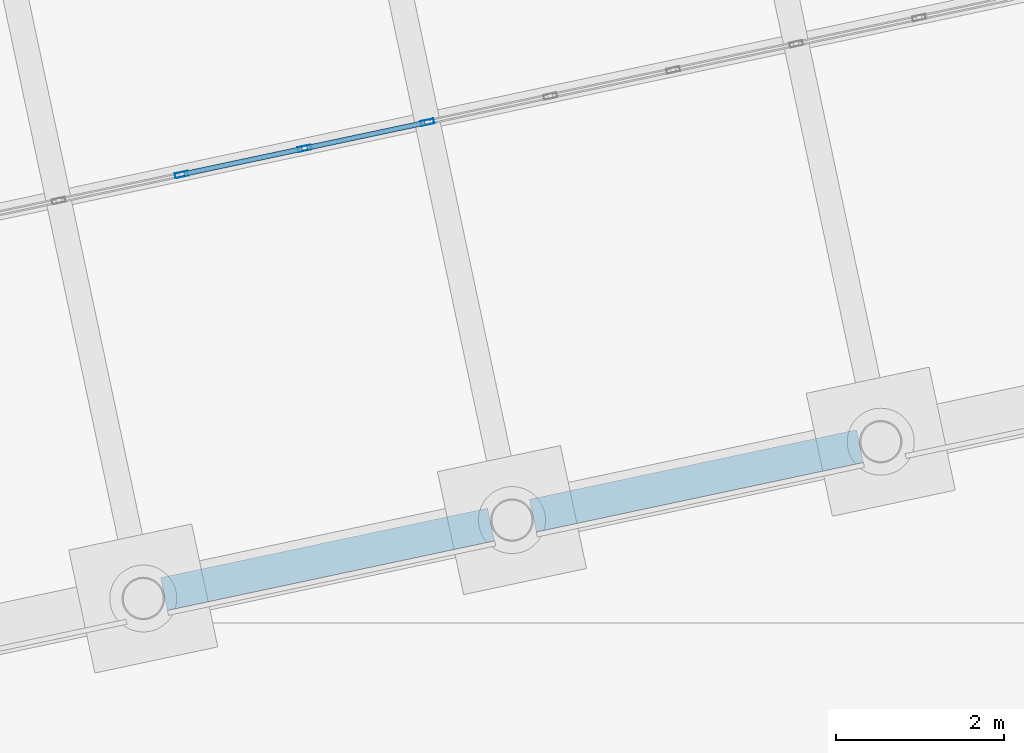
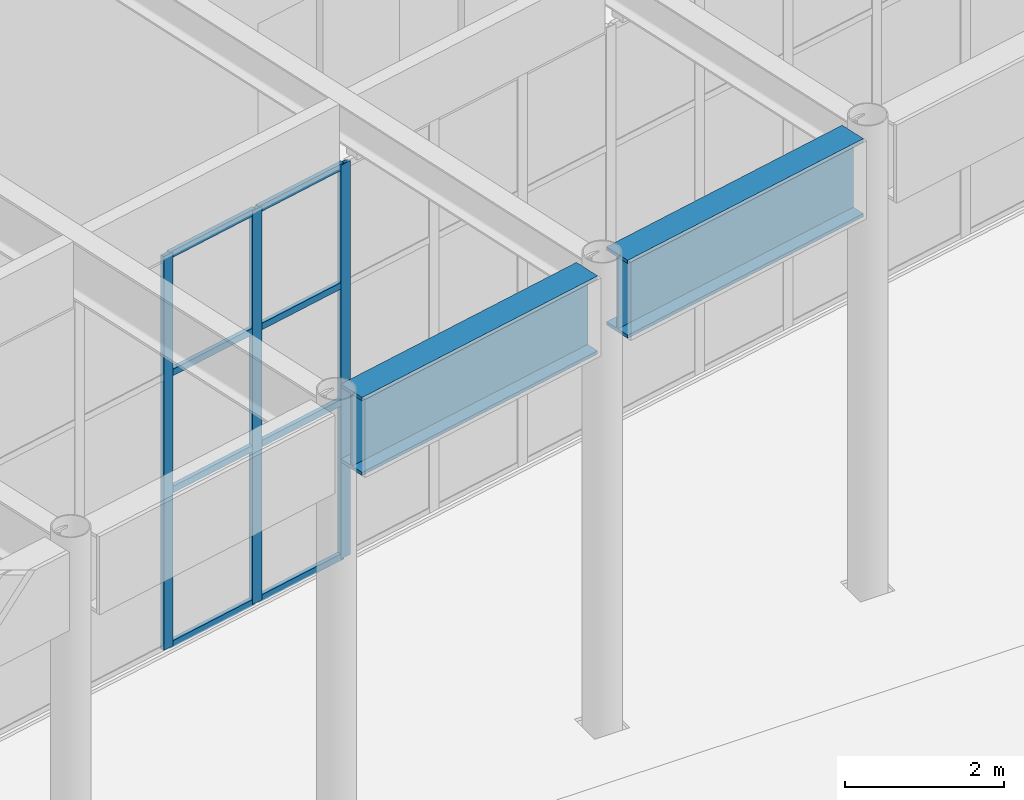
# One storey, part 60 of 239: 11 members, 2 beams, 1 element without a shape of its own.
"""IFC4 building model written with IfcOpenShell, lengths in metres."""

from ifc_helpers import new_model, si_unit, direction, frame, origin, origin_2d, place, context, subcontext, project, spatial, hollow_rectangle, i_section, extrude, material, material_profile, profile_set, type_object, element, aggregate, save


model = new_model("IFC4")

# Units and contexts
model_context = context("Model", 3, precision=1e-05, world=origin(), true_north=direction((0.0, 1.0)))
body_context = subcontext(model_context, "Body", "Model", "MODEL_VIEW")
ifc_project = project(units=[si_unit("LENGTHUNIT", "METRE"), si_unit("AREAUNIT", "SQUARE_METRE"), si_unit("VOLUMEUNIT", "CUBIC_METRE"), si_unit("PLANEANGLEUNIT", "RADIAN"), si_unit("MASSUNIT", "GRAM", prefix="KILO")], contexts=[model_context])

# Site, building, storey
site_placement = place(None, origin())
site = spatial("IfcSite", under=ifc_project, at=site_placement, CompositionType="ELEMENT")
building_placement = place(site_placement, origin())
building = spatial("IfcBuilding", under=site, at=building_placement, Name="Okhra Congress Centre", CompositionType="ELEMENT")
storey_placement = place(building_placement, origin())
storey = spatial("IfcBuildingStorey", under=building, at=storey_placement, Name="L00", CompositionType="ELEMENT", Elevation=0.0)

# Curtain wall, members
ifc_material_1 = material(Name="Aluminium curtain wall, triple glazing", Category="aluminium")
curtain_wall_type = type_object("IfcCurtainWallType", Name="Curtain wall 1500 module", PredefinedType="NOTDEFINED", material=ifc_material_1)
curtain_wall_placement = place(storey_placement, origin())
curtain_wall = element("IfcCurtainWall", 1, at=curtain_wall_placement, inside=storey, type_object=curtain_wall_type, Name="Ground curtain wall S2", PredefinedType="NOTDEFINED")
ifc_material_2 = material(Name="Aluminium alloy EN AW-6063 T66", Category="aluminium")
ifc_material_profile_1 = material_profile(ifc_material_2, hollow_rectangle(XDim=0.06005859375, YDim=0.159912109375, WallThickness=0.00390625, at=origin_2d()), Name="RHS 60x160x4")
ifc_profile_set_1 = profile_set([ifc_material_profile_1], Name="Aluminium alloy EN AW-6063 T66")
member_type_1 = type_object("IfcMemberType", Name="Curtain wall mullion 60x160", PredefinedType="MULLION", material=ifc_profile_set_1)
member_1_placement = place(storey_placement, frame((96.68212890625, 39.354736328125, 0.0), z_axis=(0.0, 0.0, 1.0), x_axis=(-0.207911690818, 0.978147600734, 0.0)))
member_1 = element("IfcMember", 2, at=member_1_placement, type_object=member_type_1, Name="CW7 mullion 6", PredefinedType="MULLION", context=body_context, shape_type="SweptSolid", body=[
    extrude(hollow_rectangle(XDim=0.06005859375, YDim=0.159912109375, WallThickness=0.00390625, at=origin_2d()), origin(), (0.0, 0.0, 1.0), 6.050048828125),
])
member_2_placement = place(storey_placement, frame((98.1494140625, 39.666748046875, 0.0), z_axis=(0.0, 0.0, 1.0), x_axis=(-0.207911690818, 0.978147600734, 0.0)))
member_2 = element("IfcMember", 3, at=member_2_placement, type_object=member_type_1, Name="CW7 mullion 7", PredefinedType="MULLION", context=body_context, shape_type="SweptSolid", body=[
    extrude(hollow_rectangle(XDim=0.06005859375, YDim=0.159912109375, WallThickness=0.00390625, at=origin_2d()), origin(), (0.0, 0.0, 1.0), 6.050048828125),
])
member_3_placement = place(storey_placement, frame((99.616455078125, 39.978515625, 0.0), z_axis=(0.0, 0.0, 1.0), x_axis=(-0.207911690818, 0.978147600734, 0.0)))
member_3 = element("IfcMember", 4, at=member_3_placement, type_object=member_type_1, Name="CW7 mullion 8", PredefinedType="MULLION", context=body_context, shape_type="SweptSolid", body=[
    extrude(hollow_rectangle(XDim=0.06005859375, YDim=0.159912109375, WallThickness=0.00390625, at=origin_2d()), origin(), (0.0, 0.0, 1.0), 6.050048828125),
])
ifc_material_profile_2 = material_profile(ifc_material_2, hollow_rectangle(XDim=0.06005859375, YDim=0.10009765625, WallThickness=0.00390625, at=origin_2d()), Name="RHS 60x100x4")
ifc_profile_set_2 = profile_set([ifc_material_profile_2], Name="Aluminium alloy EN AW-6063 T66")
member_type_2 = type_object("IfcMemberType", Name="Curtain wall transom 60x100", PredefinedType="USERDEFINED", material=ifc_profile_set_2)
member_4_placement = place(storey_placement, frame((96.71142578125, 39.361083984375, 0.030029296875), z_axis=(0.978155834385, 0.207872950764, 0.0), x_axis=(-0.207872950764, 0.978155834385, 0.0)))
member_4 = element("IfcMember", 5, at=member_4_placement, type_object=member_type_2, Name="CW7 transom 6.1", ObjectType="TRANSOM", PredefinedType="USERDEFINED", context=body_context, shape_type="SweptSolid", body=[
    extrude(hollow_rectangle(XDim=0.06005859375, YDim=0.10009765625, WallThickness=0.00390625, at=origin_2d()), origin(), (0.0, 0.0, 1.0), 1.43994140625),
])
member_5_placement = place(storey_placement, frame((96.71142578125, 39.361083984375, 2.39990234375), z_axis=(0.978155834385, 0.207872950764, 0.0), x_axis=(-0.207872950764, 0.978155834385, 0.0)))
member_5 = element("IfcMember", 6, at=member_5_placement, type_object=member_type_2, Name="CW7 transom 6.2", ObjectType="TRANSOM", PredefinedType="USERDEFINED", context=body_context, shape_type="SweptSolid", body=[
    extrude(hollow_rectangle(XDim=0.06005859375, YDim=0.10009765625, WallThickness=0.00390625, at=origin_2d()), origin(), (0.0, 0.0, 1.0), 1.43994140625),
])
member_6_placement = place(storey_placement, frame((96.71142578125, 39.361083984375, 4.199951171875), z_axis=(0.978155834385, 0.207872950764, 0.0), x_axis=(-0.207872950764, 0.978155834385, 0.0)))
member_6 = element("IfcMember", 7, at=member_6_placement, type_object=member_type_2, Name="CW7 transom 6.3", ObjectType="TRANSOM", PredefinedType="USERDEFINED", context=body_context, shape_type="SweptSolid", body=[
    extrude(hollow_rectangle(XDim=0.06005859375, YDim=0.10009765625, WallThickness=0.00390625, at=origin_2d()), origin(), (0.0, 0.0, 1.0), 1.43994140625),
])
member_7_placement = place(storey_placement, frame((96.71142578125, 39.361083984375, 6.02001953125), z_axis=(0.978155834385, 0.207872950764, 0.0), x_axis=(-0.207872950764, 0.978155834385, 0.0)))
member_7 = element("IfcMember", 8, at=member_7_placement, type_object=member_type_2, Name="CW7 transom 6.4", ObjectType="TRANSOM", PredefinedType="USERDEFINED", context=body_context, shape_type="SweptSolid", body=[
    extrude(hollow_rectangle(XDim=0.06005859375, YDim=0.10009765625, WallThickness=0.00390625, at=origin_2d()), origin(), (0.0, 0.0, 1.0), 1.43994140625),
])
member_8_placement = place(storey_placement, frame((98.1787109375, 39.6728515625, 0.030029296875), z_axis=(0.978121346413, 0.208035169362, 0.0), x_axis=(-0.208035169362, 0.978121346413, 0.0)))
member_8 = element("IfcMember", 9, at=member_8_placement, type_object=member_type_2, Name="CW7 transom 7.1", ObjectType="TRANSOM", PredefinedType="USERDEFINED", context=body_context, shape_type="SweptSolid", body=[
    extrude(hollow_rectangle(XDim=0.06005859375, YDim=0.10009765625, WallThickness=0.00390625, at=origin_2d()), origin(), (0.0, 0.0, 1.0), 1.43994140625),
])
member_9_placement = place(storey_placement, frame((98.1787109375, 39.6728515625, 2.39990234375), z_axis=(0.978121346413, 0.208035169362, 0.0), x_axis=(-0.208035169362, 0.978121346413, 0.0)))
member_9 = element("IfcMember", 10, at=member_9_placement, type_object=member_type_2, Name="CW7 transom 7.2", ObjectType="TRANSOM", PredefinedType="USERDEFINED", context=body_context, shape_type="SweptSolid", body=[
    extrude(hollow_rectangle(XDim=0.06005859375, YDim=0.10009765625, WallThickness=0.00390625, at=origin_2d()), origin(), (0.0, 0.0, 1.0), 1.43994140625),
])
member_10_placement = place(storey_placement, frame((98.1787109375, 39.6728515625, 4.199951171875), z_axis=(0.978121346413, 0.208035169362, 0.0), x_axis=(-0.208035169362, 0.978121346413, 0.0)))
member_10 = element("IfcMember", 11, at=member_10_placement, type_object=member_type_2, Name="CW7 transom 7.3", ObjectType="TRANSOM", PredefinedType="USERDEFINED", context=body_context, shape_type="SweptSolid", body=[
    extrude(hollow_rectangle(XDim=0.06005859375, YDim=0.10009765625, WallThickness=0.00390625, at=origin_2d()), origin(), (0.0, 0.0, 1.0), 1.43994140625),
])
member_11_placement = place(storey_placement, frame((98.1787109375, 39.6728515625, 6.02001953125), z_axis=(0.978121346413, 0.208035169362, 0.0), x_axis=(-0.208035169362, 0.978121346413, 0.0)))
member_11 = element("IfcMember", 12, at=member_11_placement, type_object=member_type_2, Name="CW7 transom 7.4", ObjectType="TRANSOM", PredefinedType="USERDEFINED", context=body_context, shape_type="SweptSolid", body=[
    extrude(hollow_rectangle(XDim=0.06005859375, YDim=0.10009765625, WallThickness=0.00390625, at=origin_2d()), origin(), (0.0, 0.0, 1.0), 1.43994140625),
])
aggregate(curtain_wall, [member_1, member_2, member_3, member_4, member_5, member_6, member_7, member_8, member_9, member_10, member_11])

# Beams
ifc_material_3 = material(Name="Steel S355J2", Category="steel")
ifc_material_profile_3 = material_profile(ifc_material_3, i_section(OverallWidth=0.39990234375, OverallDepth=1.199951171875, WebThickness=0.02490234375, FlangeThickness=0.050048828125, at=origin_2d()), Name="Plate girder 1200x400")
ifc_profile_set_3 = profile_set([ifc_material_profile_3], Name="Steel S355J2")
beam_type = type_object("IfcBeamType", Name="Perimeter plate girder 1200x400", PredefinedType="BEAM", material=ifc_profile_set_3)
for number, where, z_axis, x_axis, name in (
    (13, (96.47265625, 34.346923828125, 6.449951171875), (0.978155431297, 0.207874847504, 0.0), (-0.207874847504, 0.978155431297, 0.0), "Perimeter girder S6"),
    (14, (100.87451171875, 35.282470703125, 6.449951171875), (0.978142994281, 0.207933361295, 0.0), (-0.207933361295, 0.978142994281, 0.0), "Perimeter girder S7"),
):
    element("IfcBeam", number, at=place(storey_placement, frame(where, z_axis=z_axis, x_axis=x_axis)), inside=storey, type_object=beam_type, Name=name, PredefinedType="BEAM", context=body_context, shape_type="SweptSolid", body=[
        extrude(i_section(OverallWidth=0.39990234375, OverallDepth=1.199951171875, WebThickness=0.02490234375, FlangeThickness=0.050048828125, at=origin_2d()), origin(), (0.0, 0.0, 1.0), 3.991943359375),
    ])

save(model, "model.ifc")
